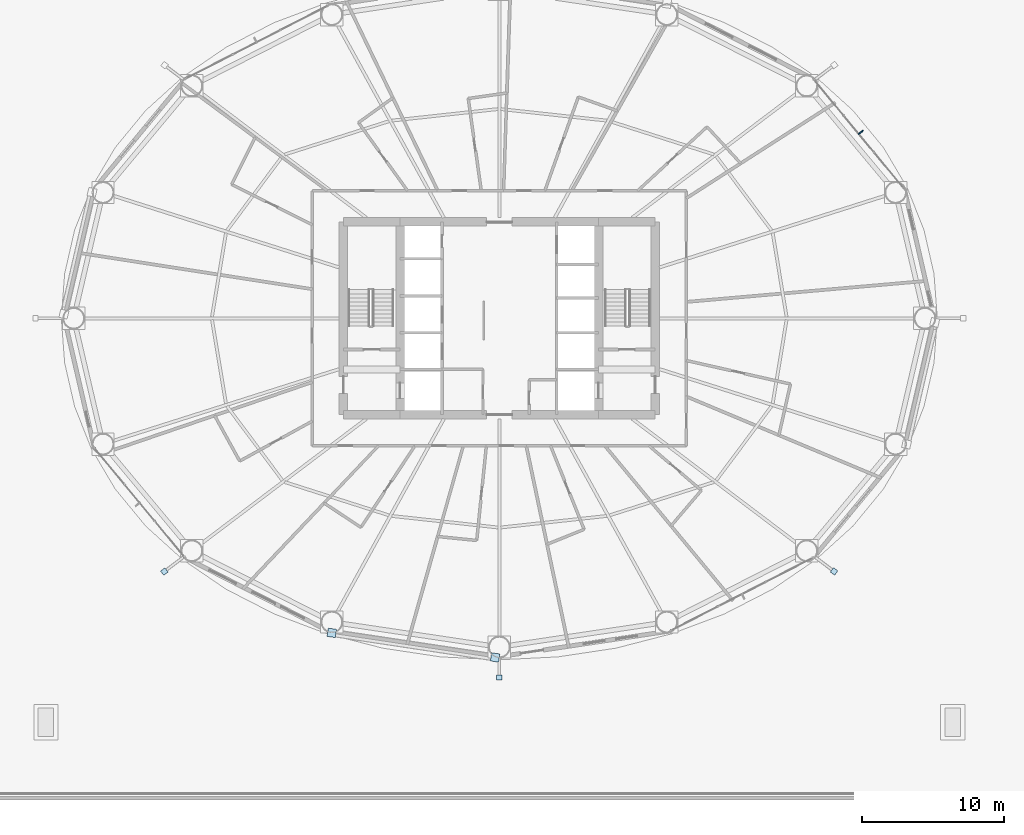
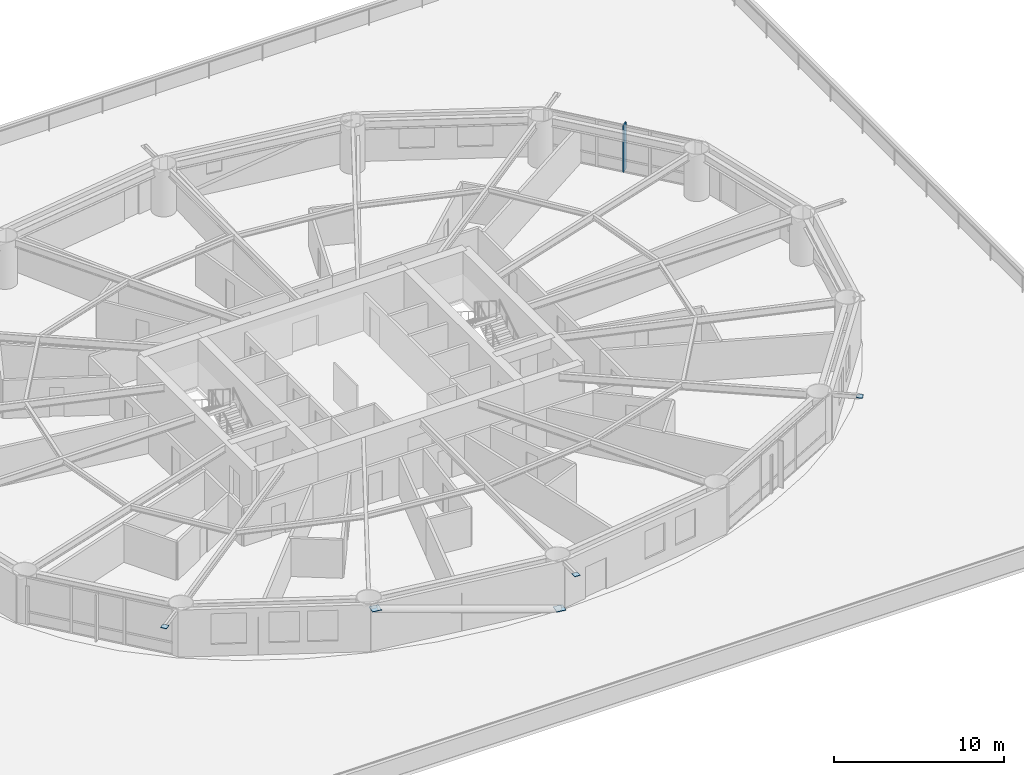
# One storey, part 19 of 30: 6 plates.
"""IFC4 building model written with IfcOpenShell, lengths in metres."""

from ifc_helpers import new_model, si_unit, direction, frame, origin, origin_2d, place, context, subcontext, project, spatial, rectangle, extrude, material, layer, layer_set, type_object, element, save


model = new_model("IFC4")

# Units and contexts
model_context = context("Model", 3, precision=1e-05, world=origin(), true_north=direction((0.0, 1.0)))
body_context = subcontext(model_context, "Body", "Model", "MODEL_VIEW")
ifc_project = project(units=[si_unit("LENGTHUNIT", "METRE"), si_unit("AREAUNIT", "SQUARE_METRE"), si_unit("VOLUMEUNIT", "CUBIC_METRE"), si_unit("PLANEANGLEUNIT", "RADIAN"), si_unit("MASSUNIT", "GRAM", prefix="KILO")], contexts=[model_context])

# Site, building, storey
site_placement = place(None, origin())
site = spatial("IfcSite", under=ifc_project, at=site_placement, CompositionType="ELEMENT")
building_placement = place(site_placement, origin())
building = spatial("IfcBuilding", under=site, at=building_placement, Name="Sarneth Arch Tower", CompositionType="ELEMENT")
storey_placement = place(building_placement, frame((0.0, 0.0, 28.199951171875)))
storey = spatial("IfcBuildingStorey", under=building, at=storey_placement, Name="L05", CompositionType="ELEMENT", Elevation=28.199951171875)

# Plates
ifc_material_1 = material(Name="Steel S355", Category="steel")
ifc_layer_1 = layer(ifc_material_1, 0.035888671875)
ifc_layer_set_1 = layer_set([ifc_layer_1], Name="Steel S355")
plate_type_1 = type_object("IfcPlateType", Name="PLT-GUSSET-30", PredefinedType="SHEET", material=ifc_layer_set_1)
plate_1_placement = place(storey_placement, frame((24.361328125, 24.126708984375, 3.2021484375), z_axis=(0.0, 0.0, 1.0), x_axis=(-0.797689196331, -0.603068773902, 0.0)))
element("IfcPlate", 1, at=plate_1_placement, inside=storey, type_object=plate_type_1, Name="Steel end cap plate GP-1", PredefinedType="SHEET", context=body_context, shape_type="SweptSolid", body=[
    extrude(rectangle(XDim=0.3798828125, YDim=0.3798828125, at=origin_2d()), origin(), (0.0, 0.0, 1.0), 0.035888671875),
])
for number, where, z_axis, x_axis, name in (
    (2, (47.703369140625, 18.064697265625, 0.001953125), (0.0, 0.0, 1.0), (0.98883454203, -0.149017611339, 0.0), "Steel end cap plate GP-1"),
    (3, (36.180419921875, 19.80078125, 2.98876953125), (0.0, 0.0, 1.0), (0.98883454203, -0.149017611339, 0.0), "Steel end cap plate GP-1"),
):
    element("IfcPlate", number, at=place(storey_placement, frame(where, z_axis=z_axis, x_axis=x_axis)), inside=storey, type_object=plate_type_1, Name=name, PredefinedType="SHEET", context=body_context, shape_type="SweptSolid", body=[
        extrude(rectangle(XDim=0.587890625, YDim=0.587890625, at=origin_2d()), origin(), (0.0, 0.0, 1.0), 0.035888671875),
    ])
for number, where, z_axis, x_axis, name in (
    (4, (48.0, 16.64990234375, 3.2021484375), (0.0, 0.0, 1.0), (0.0, -1.0, 0.0), "Steel end cap plate GP-1"),
    (5, (71.623291015625, 24.138427734375, 3.2021484375), (0.0, 0.0, 1.0), (0.797689196331, -0.603068773902, 0.0), "Steel end cap plate GP-1"),
):
    element("IfcPlate", number, at=place(storey_placement, frame(where, z_axis=z_axis, x_axis=x_axis)), inside=storey, type_object=plate_type_1, Name=name, PredefinedType="SHEET", context=body_context, shape_type="SweptSolid", body=[
        extrude(rectangle(XDim=0.3798828125, YDim=0.3798828125, at=origin_2d()), origin(), (0.0, 0.0, 1.0), 0.035888671875),
    ])
ifc_material_2 = material(Name="Extruded glazed terracotta baguette fin on Aluminium 6063-T6 carrier", Category="masonry")
ifc_layer_2 = layer(ifc_material_2, 0.080078125)
ifc_layer_set_2 = layer_set([ifc_layer_2], Name="Extruded glazed terracotta baguette fin on Aluminium 6063-T6 carrier")
plate_type_2 = type_object("IfcPlateType", Name="SHADE-TERRA-FIN", PredefinedType="SHEET", material=ifc_layer_set_2)
plate_2_placement = place(storey_placement, frame((73.508544921875, 55.120361328125, 0.009765625), z_axis=(0.0, 0.0, 1.0), x_axis=(0.770624482513, 0.637289500111, 0.0)))
element("IfcPlate", 6, at=plate_2_placement, inside=storey, type_object=plate_type_2, Name="L05 Terracotta vertical shading fin 02", PredefinedType="SHEET", context=body_context, shape_type="SweptSolid", body=[
    extrude(rectangle(XDim=0.419921875, YDim=0.080078125, at=origin_2d()), origin(), (0.0, 0.0, 1.0), 3.360107421875),
])

save(model, "model.ifc")
